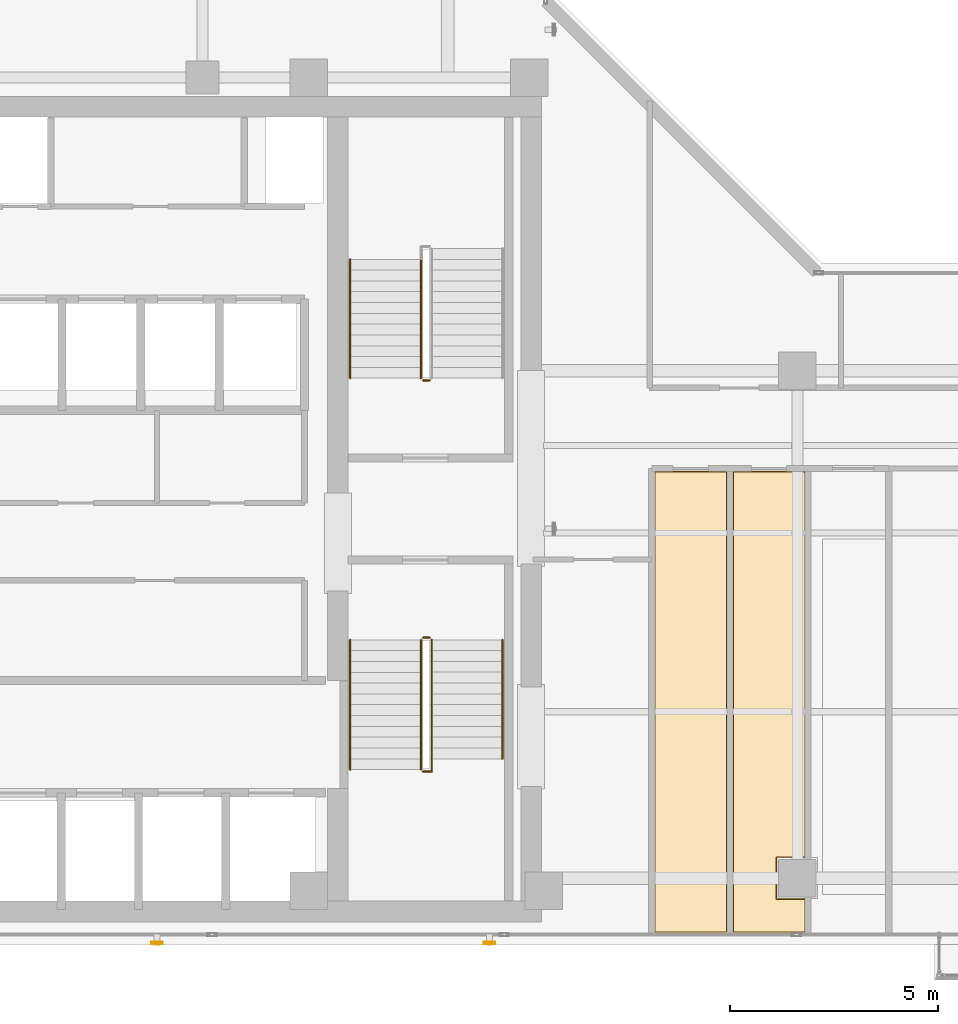
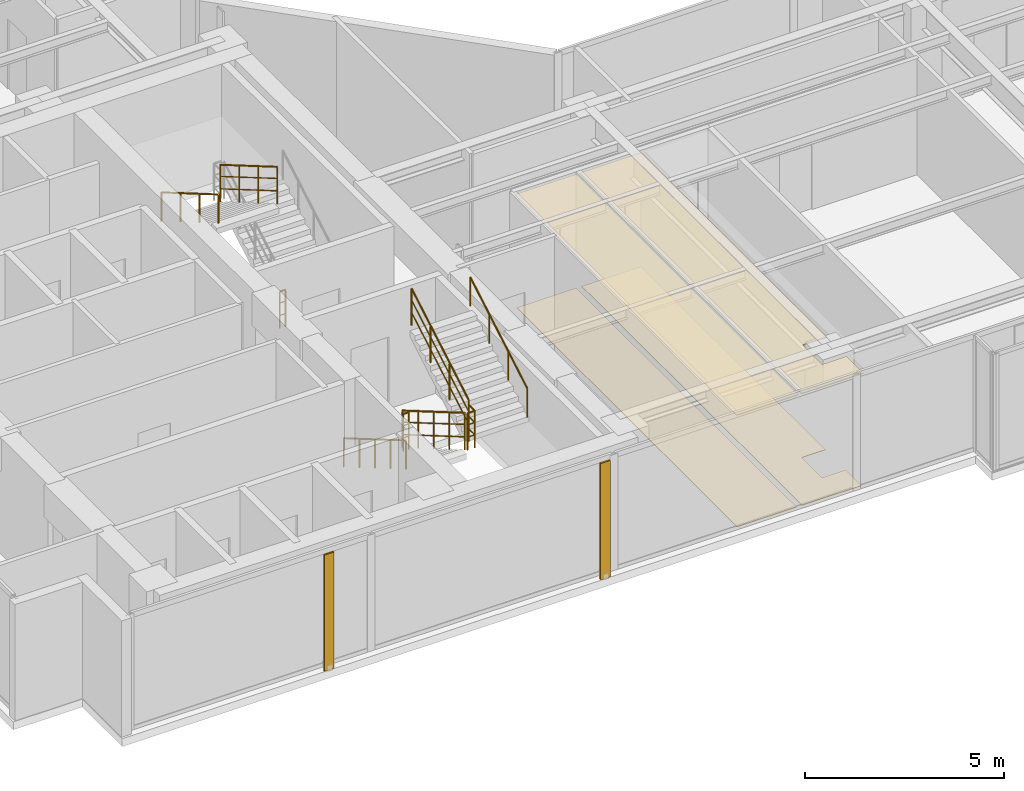
# One storey, part 20 of 22: 9 railings, 4 coverings, 2 shading devices.
"""IFC4 building model written with IfcOpenShell, lengths in metres."""

from ifc_helpers import new_model, si_unit, direction, frame, origin, origin_2d, place, context, subcontext, project, spatial, polyline, hollow_rectangle, circle, outline, extrude, material, layer, layer_set, material_profile, profile_set, type_object, element, save


model = new_model("IFC4")

# Units and contexts
model_context = context("Model", 3, precision=1e-05, world=origin(), true_north=direction((0.0, 1.0)))
body_context = subcontext(model_context, "Body", "Model", "MODEL_VIEW")
ifc_project = project(units=[si_unit("LENGTHUNIT", "METRE"), si_unit("AREAUNIT", "SQUARE_METRE"), si_unit("VOLUMEUNIT", "CUBIC_METRE"), si_unit("PLANEANGLEUNIT", "RADIAN"), si_unit("MASSUNIT", "GRAM", prefix="KILO")], contexts=[model_context])

# Site, building, storey
site_placement = place(None, origin())
site = spatial("IfcSite", under=ifc_project, at=site_placement, CompositionType="ELEMENT")
building_placement = place(site_placement, origin())
building = spatial("IfcBuilding", under=site, at=building_placement, Name="Kolvaren Waterfront Exchange", CompositionType="ELEMENT")
storey_placement = place(building_placement, frame((0.0, 0.0, 266.60009765625)))
storey = spatial("IfcBuildingStorey", under=building, at=storey_placement, Name="L68", CompositionType="ELEMENT", Elevation=266.60009765625)

# Coverings
ifc_material_1 = material(Name="Mineral fibre acoustic ceiling tile")
ifc_layer_1 = layer(ifc_material_1, 0.02490234375, Name="Mineral fibre acoustic ceiling tile")
ifc_layer_set_1 = layer_set([ifc_layer_1], Name="Mineral fibre acoustic ceiling tile")
covering_type_1 = type_object("IfcCoveringType", Name="ARC-CEIL-ACOUSTIC-25", PredefinedType="CEILING", material=ifc_layer_set_1)
covering_1_placement = place(storey_placement, frame((0.0, 0.0, 3.44482421875)))
element("IfcCovering", 1, at=covering_1_placement, inside=storey, type_object=covering_type_1, Name="L68 acoustic suspended ceiling 1", PredefinedType="CEILING", context=body_context, shape_type="SweptSolid", body=[
    extrude(outline(polyline([(25.534912109375, 3.864990234375), (25.534912109375, 14.9951171875), (23.7451171875, 14.9951171875), (23.7451171875, 3.864990234375), (25.534912109375, 3.864990234375)])), origin(), (0.0, 0.0, 1.0), 0.025146484375),
])
covering_2_placement = place(storey_placement, frame((0.0, 0.0, 3.44482421875)))
element("IfcCovering", 2, at=covering_2_placement, inside=storey, type_object=covering_type_1, Name="L68 acoustic suspended ceiling 2", PredefinedType="CEILING", context=body_context, shape_type="SweptSolid", body=[
    extrude(outline(polyline([(27.4150390625, 4.7099609375), (26.7099609375, 4.7099609375), (26.7099609375, 5.68994140625), (27.4150390625, 5.68994140625), (27.4150390625, 14.9951171875), (25.625, 14.9951171875), (25.625, 3.864990234375), (27.4150390625, 3.864990234375), (27.4150390625, 4.7099609375)])), origin(), (0.0, 0.0, 1.0), 0.025146484375),
])

# Shading devices
ifc_material_2 = material(Name="Anodised bronze aluminium 6063-T6", Category="aluminium")
ifc_material_profile = material_profile(ifc_material_2, hollow_rectangle(XDim=0.054931640625, YDim=0.280029296875, WallThickness=0.00439453125, at=origin_2d()), Name="BRZ-FIN-280x55x4.5")
ifc_profile_set = profile_set([ifc_material_profile], Name="Anodised bronze aluminium 6063-T6")
shading_device_type = type_object("IfcShadingDeviceType", Name="ARC-FIN-280", PredefinedType="USERDEFINED", material=ifc_profile_set)
for number, where, z_axis, x_axis, name in (
    (3, (11.800048828125, 3.639892578125, 0.0), (0.0, 0.0, 1.0), (0.0, -1.0, 0.0), "L68 anodised bronze solar shading fin FIN-L68-S1"),
    (4, (19.800048828125, 3.639892578125, 0.0), (0.0, 0.0, 1.0), (0.0, -1.0, 0.0), "L68 anodised bronze solar shading fin FIN-L68-S2"),
):
    element("IfcShadingDevice", number, at=place(storey_placement, frame(where, z_axis=z_axis, x_axis=x_axis)), inside=storey, type_object=shading_device_type, Name=name, ObjectType="SOLAR FIN", PredefinedType="USERDEFINED", context=body_context, shape_type="SweptSolid", body=[
        extrude(hollow_rectangle(XDim=0.054931640625, YDim=0.280029296875, WallThickness=0.00439453125, at=origin_2d()), origin(), (0.0, 0.0, 1.0), 3.559814453125),
    ])

# Coverings
ifc_material_3 = material(Name="Slip-resistant porcelain tile")
ifc_layer_2 = layer(ifc_material_3, 0.014892578125, Name="Slip-resistant porcelain tile")
ifc_layer_set_2 = layer_set([ifc_layer_2], Name="Slip-resistant porcelain tile")
covering_type_2 = type_object("IfcCoveringType", Name="ARC-FLR-PORC-15", PredefinedType="FLOORING", material=ifc_layer_set_2)
covering_3_placement = place(storey_placement, origin())
element("IfcCovering", 5, at=covering_3_placement, inside=storey, type_object=covering_type_2, Name="L68 floor finish 1", PredefinedType="FLOORING", context=body_context, shape_type="SweptSolid", body=[
    extrude(outline(polyline([(23.780029296875, 14.9599609375), (23.780029296875, 3.89990234375), (25.5, 3.89990234375), (25.5, 14.9599609375), (23.780029296875, 14.9599609375)])), origin(), (0.0, 0.0, 1.0), 0.014892578125),
])
covering_4_placement = place(storey_placement, origin())
element("IfcCovering", 6, at=covering_4_placement, inside=storey, type_object=covering_type_2, Name="L68 floor finish 2", PredefinedType="FLOORING", context=body_context, shape_type="SweptSolid", body=[
    extrude(outline(polyline([(25.659912109375, 14.9599609375), (25.659912109375, 3.89990234375), (27.3798828125, 3.89990234375), (27.3798828125, 4.68994140625), (26.68994140625, 4.68994140625), (26.68994140625, 5.7099609375), (27.3798828125, 5.7099609375), (27.3798828125, 14.9599609375), (25.659912109375, 14.9599609375)])), origin(), (0.0, 0.0, 1.0), 0.014892578125),
])

# Railings
ifc_material_4 = material(Name="Stainless steel 316", Category="steel")
railing_type_1 = type_object("IfcRailingType", Name="ARC-GUARD-STAIR", PredefinedType="GUARDRAIL", material=ifc_material_4)
railing_1_placement = place(storey_placement, frame((18.14990234375, 10.929931640625, 0.15185546875)))
element("IfcRailing", 7, at=railing_1_placement, inside=storey, type_object=railing_type_1, Name="L68 ST1 stair guard 1", PredefinedType="GUARDRAIL", context=body_context, shape_type="SweptSolid", body=[
    extrude(circle(Radius=0.02392578125, at=origin_2d()), frame((0.0, 0.0, 1.1259765625), z_axis=(0.0, -0.86329090724, 0.504706656858), x_axis=(1.0, 0.0, 0.0)), (0.0, 0.0, 1.0), 3.614013671875),
    extrude(circle(Radius=0.01611328125, at=origin_2d()), frame((0.0, 0.0, 0.390869140625), z_axis=(0.0, -0.86329090724, 0.504706656858), x_axis=(1.0, 0.0, 0.0)), (0.0, 0.0, 1.0), 3.614013671875),
    extrude(circle(Radius=0.01611328125, at=origin_2d()), frame((0.0, 0.0, 0.7705078125), z_axis=(0.0, -0.86329090724, 0.504706656858), x_axis=(1.0, 0.0, 0.0)), (0.0, 0.0, 1.0), 3.614013671875),
    extrude(circle(Radius=0.02099609375, at=origin_2d()), origin(), (0.0, 0.0, 1.0), 1.101806640625),
    extrude(circle(Radius=0.02099609375, at=origin_2d()), frame((0.0, -0.780029296875, 0.4560546875)), (0.0, 0.0, 1.0), 1.101806640625),
    extrude(circle(Radius=0.02099609375, at=origin_2d()), frame((0.0, -1.56005859375, 0.912109375)), (0.0, 0.0, 1.0), 1.101806640625),
    extrude(circle(Radius=0.02099609375, at=origin_2d()), frame((0.0, -2.33984375, 1.367919921875)), (0.0, 0.0, 1.0), 1.101806640625),
    extrude(circle(Radius=0.02099609375, at=origin_2d()), frame((0.0, -3.119873046875, 1.823974609375)), (0.0, 0.0, 1.0), 1.101806640625),
])
railing_2_placement = place(storey_placement, frame((18.199951171875, 7.760009765625, 1.975830078125)))
element("IfcRailing", 8, at=railing_2_placement, inside=storey, type_object=railing_type_1, Name="L68 ST1 stair guard 2", PredefinedType="GUARDRAIL", context=body_context, shape_type="SweptSolid", body=[
    extrude(circle(Radius=0.02392578125, at=origin_2d()), frame((0.0, 0.0, 1.1259765625), z_axis=(1.0, 0.0, 0.0), x_axis=(0.0, 1.0, 0.0)), (0.0, 0.0, 1.0), 0.2099609375),
    extrude(circle(Radius=0.01611328125, at=origin_2d()), frame((0.0, 0.0, 0.390869140625), z_axis=(1.0, 0.0, 0.0), x_axis=(0.0, 1.0, 0.0)), (0.0, 0.0, 1.0), 0.2099609375),
    extrude(circle(Radius=0.01611328125, at=origin_2d()), frame((0.0, 0.0, 0.7705078125), z_axis=(1.0, 0.0, 0.0), x_axis=(0.0, 1.0, 0.0)), (0.0, 0.0, 1.0), 0.2099609375),
    extrude(circle(Radius=0.02392578125, at=origin_2d()), frame((0.2099609375, 0.0, 1.1259765625), z_axis=(0.0, 1.0, 0.0), x_axis=(-1.0, 0.0, 0.0)), (0.0, 0.0, 1.0), 0.31005859375),
    extrude(circle(Radius=0.01611328125, at=origin_2d()), frame((0.2099609375, 0.0, 0.390869140625), z_axis=(0.0, 1.0, 0.0), x_axis=(-1.0, 0.0, 0.0)), (0.0, 0.0, 1.0), 0.31005859375),
    extrude(circle(Radius=0.01611328125, at=origin_2d()), frame((0.2099609375, 0.0, 0.7705078125), z_axis=(0.0, 1.0, 0.0), x_axis=(-1.0, 0.0, 0.0)), (0.0, 0.0, 1.0), 0.31005859375),
    extrude(circle(Radius=0.02099609375, at=origin_2d()), origin(), (0.0, 0.0, 1.0), 1.101806640625),
    extrude(circle(Radius=0.02099609375, at=origin_2d()), frame((0.2099609375, 0.0, 0.0)), (0.0, 0.0, 1.0), 1.101806640625),
    extrude(circle(Radius=0.02099609375, at=origin_2d()), frame((0.2099609375, 0.31005859375, 0.0)), (0.0, 0.0, 1.0), 1.101806640625),
])
railing_3_placement = place(storey_placement, frame((18.409912109375, 8.070068359375, 2.1279296875)))
element("IfcRailing", 9, at=railing_3_placement, inside=storey, type_object=railing_type_1, Name="L68 ST1 stair guard 3", PredefinedType="GUARDRAIL", context=body_context, shape_type="SweptSolid", body=[
    extrude(circle(Radius=0.02392578125, at=origin_2d()), frame((0.0, 0.0, 1.1259765625), z_axis=(0.0, 0.86330272217, 0.504686447108), x_axis=(-1.0, 0.0, 0.0)), (0.0, 0.0, 1.0), 3.312744140625),
    extrude(circle(Radius=0.01611328125, at=origin_2d()), frame((0.0, 0.0, 0.390869140625), z_axis=(0.0, 0.86330272217, 0.504686447108), x_axis=(-1.0, 0.0, 0.0)), (0.0, 0.0, 1.0), 3.312744140625),
    extrude(circle(Radius=0.01611328125, at=origin_2d()), frame((0.0, 0.0, 0.7705078125), z_axis=(0.0, 0.86330272217, 0.504686447108), x_axis=(-1.0, 0.0, 0.0)), (0.0, 0.0, 1.0), 3.312744140625),
    extrude(circle(Radius=0.02099609375, at=origin_2d()), origin(), (0.0, 0.0, 1.0), 1.101806640625),
    extrude(circle(Radius=0.02099609375, at=origin_2d()), frame((0.0, 0.953369140625, 0.557373046875)), (0.0, 0.0, 1.0), 1.101806640625),
    extrude(circle(Radius=0.02099609375, at=origin_2d()), frame((0.0, 1.906494140625, 1.114501953125)), (0.0, 0.0, 1.0), 1.101806640625),
    extrude(circle(Radius=0.02099609375, at=origin_2d()), frame((0.0, 2.85986328125, 1.671875)), (0.0, 0.0, 1.0), 1.101806640625),
])
railing_4_placement = place(storey_placement, frame((18.199951171875, 10.97998046875, 0.0)))
element("IfcRailing", 10, at=railing_4_placement, inside=storey, type_object=railing_type_1, Name="L68 ST1 stair guard 4", PredefinedType="GUARDRAIL", context=body_context, shape_type="SweptSolid", body=[
    extrude(circle(Radius=0.02392578125, at=origin_2d()), frame((0.0, 0.0, 1.1259765625), z_axis=(1.0, 0.0, 0.0), x_axis=(0.0, 1.0, 0.0)), (0.0, 0.0, 1.0), 0.16015625),
    extrude(circle(Radius=0.01611328125, at=origin_2d()), frame((0.0, 0.0, 0.390869140625), z_axis=(1.0, 0.0, 0.0), x_axis=(0.0, 1.0, 0.0)), (0.0, 0.0, 1.0), 0.16015625),
    extrude(circle(Radius=0.01611328125, at=origin_2d()), frame((0.0, 0.0, 0.7705078125), z_axis=(1.0, 0.0, 0.0), x_axis=(0.0, 1.0, 0.0)), (0.0, 0.0, 1.0), 0.16015625),
    extrude(circle(Radius=0.02099609375, at=origin_2d()), origin(), (0.0, 0.0, 1.0), 1.101806640625),
    extrude(circle(Radius=0.02099609375, at=origin_2d()), frame((0.16015625, 0.0, 0.0)), (0.0, 0.0, 1.0), 1.101806640625),
])
railing_5_placement = place(storey_placement, frame((18.14990234375, 20.080078125, 2.1279296875)))
element("IfcRailing", 11, at=railing_5_placement, inside=storey, type_object=railing_type_1, Name="L68 ST2 stair guard 3", PredefinedType="GUARDRAIL", context=body_context, shape_type="SweptSolid", body=[
    extrude(circle(Radius=0.02392578125, at=origin_2d()), frame((0.0, 0.0, 1.1259765625), z_axis=(0.0, -0.863321491973, 0.504654338629), x_axis=(1.0, 0.0, 0.0)), (0.0, 0.0, 1.0), 3.31298828125),
    extrude(circle(Radius=0.01611328125, at=origin_2d()), frame((0.0, 0.0, 0.390869140625), z_axis=(0.0, -0.863321491973, 0.504654338629), x_axis=(1.0, 0.0, 0.0)), (0.0, 0.0, 1.0), 3.31298828125),
    extrude(circle(Radius=0.01611328125, at=origin_2d()), frame((0.0, 0.0, 0.7705078125), z_axis=(0.0, -0.863321491973, 0.504654338629), x_axis=(1.0, 0.0, 0.0)), (0.0, 0.0, 1.0), 3.31298828125),
    extrude(circle(Radius=0.02099609375, at=origin_2d()), origin(), (0.0, 0.0, 1.0), 1.101806640625),
    extrude(circle(Radius=0.02099609375, at=origin_2d()), frame((0.0, -0.953369140625, 0.557373046875)), (0.0, 0.0, 1.0), 1.101806640625),
    extrude(circle(Radius=0.02099609375, at=origin_2d()), frame((0.0, -1.90673828125, 1.114501953125)), (0.0, 0.0, 1.0), 1.101806640625),
    extrude(circle(Radius=0.02099609375, at=origin_2d()), frame((0.0, -2.860107421875, 1.671875)), (0.0, 0.0, 1.0), 1.101806640625),
])
railing_6_placement = place(storey_placement, frame((18.360107421875, 17.169921875, 0.0)))
element("IfcRailing", 12, at=railing_6_placement, inside=storey, type_object=railing_type_1, Name="L68 ST2 stair guard 4", PredefinedType="GUARDRAIL", context=body_context, shape_type="SweptSolid", body=[
    extrude(circle(Radius=0.02392578125, at=origin_2d()), frame((0.0, 0.0, 1.1259765625), z_axis=(-1.0, 0.0, 0.0), x_axis=(0.0, -1.0, 0.0)), (0.0, 0.0, 1.0), 0.16015625),
    extrude(circle(Radius=0.01611328125, at=origin_2d()), frame((0.0, 0.0, 0.390869140625), z_axis=(-1.0, 0.0, 0.0), x_axis=(0.0, -1.0, 0.0)), (0.0, 0.0, 1.0), 0.16015625),
    extrude(circle(Radius=0.01611328125, at=origin_2d()), frame((0.0, 0.0, 0.7705078125), z_axis=(-1.0, 0.0, 0.0), x_axis=(0.0, -1.0, 0.0)), (0.0, 0.0, 1.0), 0.16015625),
    extrude(circle(Radius=0.02099609375, at=origin_2d()), origin(), (0.0, 0.0, 1.0), 1.101806640625),
    extrude(circle(Radius=0.02099609375, at=origin_2d()), frame((-0.16015625, 0.0, 0.0)), (0.0, 0.0, 1.0), 1.101806640625),
])
railing_type_2 = type_object("IfcRailingType", Name="ARC-HANDRAIL-900", PredefinedType="HANDRAIL", material=ifc_material_4)
railing_7_placement = place(storey_placement, frame((16.449951171875, 10.929931640625, 0.15185546875)))
element("IfcRailing", 13, at=railing_7_placement, inside=storey, type_object=railing_type_2, Name="L68 ST1 stair handrail 1", PredefinedType="HANDRAIL", context=body_context, shape_type="SweptSolid", body=[
    extrude(circle(Radius=0.02392578125, at=origin_2d()), frame((0.0, 0.0, 0.8759765625), z_axis=(0.0, -0.86329090724, 0.504706656858), x_axis=(1.0, 0.0, 0.0)), (0.0, 0.0, 1.0), 3.614013671875),
    extrude(circle(Radius=0.02099609375, at=origin_2d()), origin(), (0.0, 0.0, 1.0), 0.851806640625),
    extrude(circle(Radius=0.02099609375, at=origin_2d()), frame((0.0, -0.780029296875, 0.4560546875)), (0.0, 0.0, 1.0), 0.851806640625),
    extrude(circle(Radius=0.02099609375, at=origin_2d()), frame((0.0, -1.56005859375, 0.912109375)), (0.0, 0.0, 1.0), 0.851806640625),
    extrude(circle(Radius=0.02099609375, at=origin_2d()), frame((0.0, -2.33984375, 1.367919921875)), (0.0, 0.0, 1.0), 0.851806640625),
    extrude(circle(Radius=0.02099609375, at=origin_2d()), frame((0.0, -3.119873046875, 1.823974609375)), (0.0, 0.0, 1.0), 0.851806640625),
])
railing_8_placement = place(storey_placement, frame((20.110107421875, 8.070068359375, 2.1279296875)))
element("IfcRailing", 14, at=railing_8_placement, inside=storey, type_object=railing_type_2, Name="L68 ST1 stair handrail 2", PredefinedType="HANDRAIL", context=body_context, shape_type="SweptSolid", body=[
    extrude(circle(Radius=0.02392578125, at=origin_2d()), frame((0.0, 0.0, 0.8759765625), z_axis=(0.0, 0.86330272217, 0.504686447108), x_axis=(-1.0, 0.0, 0.0)), (0.0, 0.0, 1.0), 3.312744140625),
    extrude(circle(Radius=0.02099609375, at=origin_2d()), origin(), (0.0, 0.0, 1.0), 0.851806640625),
    extrude(circle(Radius=0.02099609375, at=origin_2d()), frame((0.0, 0.953369140625, 0.557373046875)), (0.0, 0.0, 1.0), 0.851806640625),
    extrude(circle(Radius=0.02099609375, at=origin_2d()), frame((0.0, 1.906494140625, 1.114501953125)), (0.0, 0.0, 1.0), 0.851806640625),
    extrude(circle(Radius=0.02099609375, at=origin_2d()), frame((0.0, 2.85986328125, 1.671875)), (0.0, 0.0, 1.0), 0.851806640625),
])
railing_9_placement = place(storey_placement, frame((16.449951171875, 20.080078125, 2.1279296875)))
element("IfcRailing", 15, at=railing_9_placement, inside=storey, type_object=railing_type_2, Name="L68 ST2 stair handrail 2", PredefinedType="HANDRAIL", context=body_context, shape_type="SweptSolid", body=[
    extrude(circle(Radius=0.02392578125, at=origin_2d()), frame((0.0, 0.0, 0.8759765625), z_axis=(0.0, -0.863321491973, 0.504654338629), x_axis=(1.0, 0.0, 0.0)), (0.0, 0.0, 1.0), 3.31298828125),
    extrude(circle(Radius=0.02099609375, at=origin_2d()), origin(), (0.0, 0.0, 1.0), 0.851806640625),
    extrude(circle(Radius=0.02099609375, at=origin_2d()), frame((0.0, -0.953369140625, 0.557373046875)), (0.0, 0.0, 1.0), 0.851806640625),
    extrude(circle(Radius=0.02099609375, at=origin_2d()), frame((0.0, -1.90673828125, 1.114501953125)), (0.0, 0.0, 1.0), 0.851806640625),
    extrude(circle(Radius=0.02099609375, at=origin_2d()), frame((0.0, -2.860107421875, 1.671875)), (0.0, 0.0, 1.0), 0.851806640625),
])

save(model, "model.ifc")
